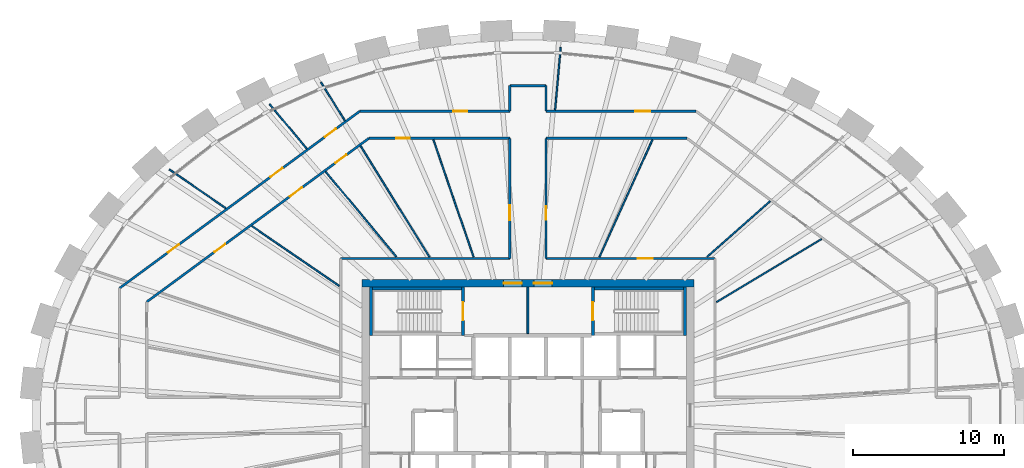
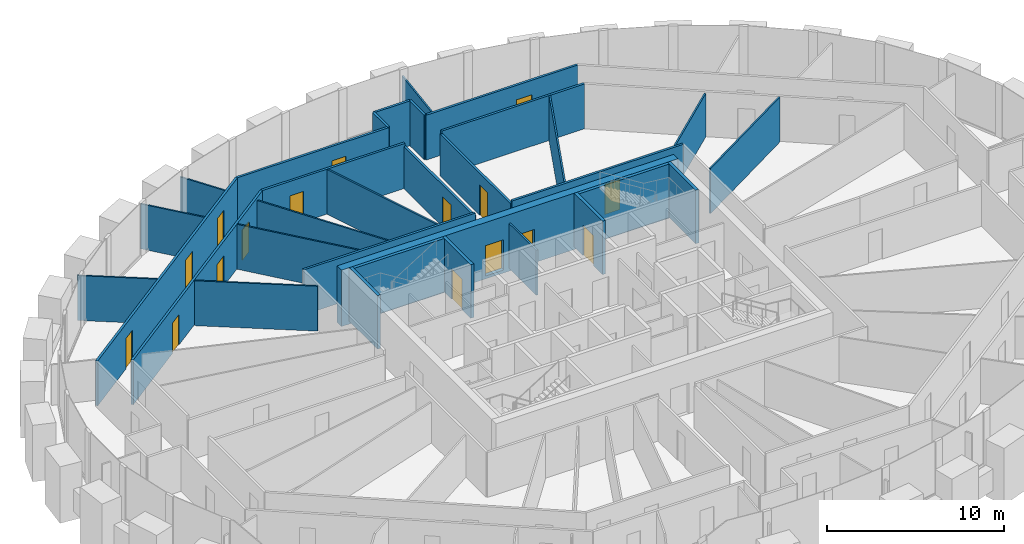
# One storey, part 10 of 12: 32 walls, 16 doors, 16 openings.
"""IFC4 building model written with IfcOpenShell, lengths in metres."""

from ifc_helpers import new_model, si_unit, direction, frame, frame_2d, origin, place, context, subcontext, project, spatial, rectangle, extrude, source, transform, mapped, material, layer, layer_set, type_object, element, fill, save


model = new_model("IFC4")

# Units and contexts
model_context = context("Model", 3, precision=1e-05, world=origin(), true_north=direction((0.0, 1.0)))
body_context = subcontext(model_context, "Body", "Model", "MODEL_VIEW")
ifc_project = project(units=[si_unit("LENGTHUNIT", "METRE"), si_unit("AREAUNIT", "SQUARE_METRE"), si_unit("VOLUMEUNIT", "CUBIC_METRE"), si_unit("PLANEANGLEUNIT", "RADIAN"), si_unit("MASSUNIT", "GRAM", prefix="KILO")], contexts=[model_context])

# Site, building, storey
site_placement = place(None, origin())
site = spatial("IfcSite", under=ifc_project, at=site_placement, CompositionType="ELEMENT")
building_placement = place(site_placement, origin())
building = spatial("IfcBuilding", under=site, at=building_placement, Name="Embergate Tower", CompositionType="ELEMENT")
storey_placement = place(building_placement, frame((0.0, 0.0, 265.60009765625)))
storey = spatial("IfcBuildingStorey", under=building, at=storey_placement, Name="L61", CompositionType="ELEMENT", Elevation=265.60009765625)

# Wall, openings, doors
ifc_material_1 = material(Name="Concrete C50", Category="concrete")
ifc_layer_1 = layer(ifc_material_1, 0.5)
ifc_layer_set_1 = layer_set([ifc_layer_1], Name="Concrete C50")
wall_type_1 = type_object("IfcWallType", Name="Core outer wall C50 500", PredefinedType="SHEAR", material=ifc_layer_set_1)
shared_shape_1 = source(origin(), body_context, "Body", "SweptSolid", [
    extrude(rectangle(XDim=22.0, YDim=0.5, at=frame_2d((11.0, 0.0))), origin(), (0.0, 0.0, 1.0), 3.900146484375),
])
wall_1_placement = place(storey_placement, frame((-11.0, 8.75, -0.2001953125), z_axis=(0.0, 0.0, 1.0), x_axis=(1.0, 0.0, 0.0)))
wall_1 = element("IfcWall", 1, at=wall_1_placement, inside=storey, type_object=wall_type_1, Name="CW-L61-N", PredefinedType="SHEAR", context=body_context, shape_type="MappedRepresentation", body=[
    mapped(shared_shape_1, transform((0.0, 0.0, 0.0))),
])
shared_shape_2 = source(origin(), body_context, "Body", "SweptSolid", [
    extrude(rectangle(XDim=1.199951171875, YDim=2.10009765625, at=frame_2d((0.60009765625, 1.050048828125))), frame((0.0, 0.260009765625, 0.0), z_axis=(0.0, -1.0, 0.0), x_axis=(1.0, 0.0, 0.0)), (0.0, 0.0, 1.0), 0.52001953125),
])
opening_1_placement = place(wall_1_placement, frame((9.39990234375, 0.0, 0.199951171875)))
opening_1 = element("IfcOpeningElement", 2, at=opening_1_placement, cuts=wall_1, Name="Opening IF-1", PredefinedType="OPENING", context=body_context, shape_type="MappedRepresentation", body=[
    mapped(shared_shape_2, transform((0.0, 0.0, 0.0))),
])
opening_2_placement = place(wall_1_placement, frame((11.39990234375, 0.0, 0.199951171875)))
opening_2 = element("IfcOpeningElement", 3, at=opening_2_placement, cuts=wall_1, Name="Opening IF-1", PredefinedType="OPENING", context=body_context, shape_type="MappedRepresentation", body=[
    mapped(shared_shape_2, transform((0.0, 0.0, 0.0))),
])
ifc_material_2 = material(Name="Escape fire door 1200")
door_type_1 = type_object("IfcDoorType", Name="Escape fire door 1200", OperationType="SINGLE_SWING_LEFT", PredefinedType="DOOR", material=ifc_material_2)
shared_shape_3 = source(origin(), body_context, "Body", "SweptSolid", [
    extrude(rectangle(XDim=1.199951171875, YDim=2.10009765625, at=frame_2d((0.60009765625, 1.050048828125))), frame((0.0, 0.02490234375, 0.0), z_axis=(0.0, -1.0, 0.0), x_axis=(1.0, 0.0, 0.0)), (0.0, 0.0, 1.0), 0.050048828125),
])
door_1_placement = place(opening_1_placement, origin())
door_1 = element("IfcDoor", 4, at=door_1_placement, inside=storey, type_object=door_type_1, Name="IF-1 door", OperationType="SINGLE_SWING_LEFT", OverallHeight=2.10009765625, OverallWidth=1.199951171875, PredefinedType="DOOR", context=body_context, shape_type="MappedRepresentation", body=[
    mapped(shared_shape_3, transform((0.0, 0.0, 0.0))),
])
fill(opening_1, door_1)
door_2_placement = place(opening_2_placement, origin())
door_2 = element("IfcDoor", 5, at=door_2_placement, inside=storey, type_object=door_type_1, Name="IF-1 door", OperationType="SINGLE_SWING_RIGHT", OverallHeight=2.10009765625, OverallWidth=1.199951171875, PredefinedType="DOOR", context=body_context, shape_type="MappedRepresentation", body=[
    mapped(shared_shape_3, transform((0.0, 0.0, 0.0))),
])
fill(opening_2, door_2)

# Wall, opening, door
ifc_layer_2 = layer(ifc_material_1, 0.199951171875)
ifc_layer_set_2 = layer_set([ifc_layer_2], Name="Concrete C50")
wall_type_2 = type_object("IfcWallType", Name="Stair enclosure wall reinforced concrete 250", PredefinedType="SHEAR", material=ifc_layer_set_2)
shared_shape_4 = source(origin(), body_context, "Body", "SweptSolid", [
    extrude(rectangle(XDim=3.199951171875, YDim=0.199951171875, at=frame_2d((1.60009765625, 0.0))), origin(), (0.0, 0.0, 1.0), 3.699951171875),
])
wall_2_placement = place(storey_placement, frame((-4.300048828125, 5.300048828125, 0.0), z_axis=(0.0, 0.0, 1.0), x_axis=(0.0, 1.0, 0.0)))
wall_2 = element("IfcWall", 6, at=wall_2_placement, inside=storey, type_object=wall_type_2, Name="SE-1 wall", PredefinedType="SHEAR", context=body_context, shape_type="MappedRepresentation", body=[
    mapped(shared_shape_4, transform((0.0, 0.0, 0.0))),
])
shared_shape_5 = source(origin(), body_context, "Body", "SweptSolid", [
    extrude(rectangle(XDim=1.199951171875, YDim=2.10009765625, at=frame_2d((0.60009765625, 1.050048828125))), frame((0.0, 0.10986328125, 0.0), z_axis=(0.0, -1.0, 0.0), x_axis=(1.0, 0.0, 0.0)), (0.0, 0.0, 1.0), 0.219970703125),
])
opening_3_placement = place(wall_2_placement, frame((1.0, 0.0, 0.0)))
opening_3 = element("IfcOpeningElement", 7, at=opening_3_placement, cuts=wall_2, Name="Opening IF-2", PredefinedType="OPENING", context=body_context, shape_type="MappedRepresentation", body=[
    mapped(shared_shape_5, transform((0.0, 0.0, 0.0))),
])
ifc_material_3 = material(Name="Stair enclosure door 1200")
door_type_2 = type_object("IfcDoorType", Name="Stair enclosure door 1200", OperationType="SINGLE_SWING_LEFT", PredefinedType="DOOR", material=ifc_material_3)
door_3_placement = place(opening_3_placement, origin())
door_3 = element("IfcDoor", 8, at=door_3_placement, inside=storey, type_object=door_type_2, Name="IF-2 door", OperationType="SINGLE_SWING_RIGHT", OverallHeight=2.10009765625, OverallWidth=1.199951171875, PredefinedType="DOOR", context=body_context, shape_type="MappedRepresentation", body=[
    mapped(shared_shape_3, transform((0.0, 0.0, 0.0))),
])
fill(opening_3, door_3)

wall_3_placement = place(storey_placement, frame((4.300048828125, 8.5, 0.0), z_axis=(0.0, 0.0, 1.0), x_axis=(0.0, -1.0, 0.0)))
wall_3 = element("IfcWall", 9, at=wall_3_placement, inside=storey, type_object=wall_type_2, Name="SE-1 wall", PredefinedType="SHEAR", context=body_context, shape_type="MappedRepresentation", body=[
    mapped(shared_shape_4, transform((0.0, 0.0, 0.0))),
])
opening_4_placement = place(wall_3_placement, frame((1.0, 0.0, 0.0)))
opening_4 = element("IfcOpeningElement", 10, at=opening_4_placement, cuts=wall_3, Name="Opening IF-2", PredefinedType="OPENING", context=body_context, shape_type="MappedRepresentation", body=[
    mapped(shared_shape_5, transform((0.0, 0.0, 0.0))),
])
door_4_placement = place(opening_4_placement, origin())
door_4 = element("IfcDoor", 11, at=door_4_placement, inside=storey, type_object=door_type_2, Name="IF-2 door", OperationType="SINGLE_SWING_LEFT", OverallHeight=2.10009765625, OverallWidth=1.199951171875, PredefinedType="DOOR", context=body_context, shape_type="MappedRepresentation", body=[
    mapped(shared_shape_3, transform((0.0, 0.0, 0.0))),
])
fill(opening_4, door_4)

# Wall
ifc_material_4 = material(Name="Corridor wall dry-lined 150")
ifc_layer_3 = layer(ifc_material_4, 0.14990234375)
ifc_layer_set_3 = layer_set([ifc_layer_3], Name="Corridor wall dry-lined 150")
wall_type_3 = type_object("IfcWallType", Name="Corridor wall dry-lined 150", PredefinedType="PARTITIONING", material=ifc_layer_set_3)
shared_shape_6 = source(origin(), body_context, "Body", "SweptSolid", [
    extrude(rectangle(XDim=2.39990234375, YDim=0.14990234375, at=frame_2d((1.199951171875, 0.0))), origin(), (0.0, 0.0, 1.0), 3.099853515625),
])
wall_4_placement = place(storey_placement, frame((-1.199951171875, 21.845947265625, 0.0), z_axis=(0.0, 0.0, 1.0), x_axis=(1.0, 0.0, 0.0)))
element("IfcWall", 12, at=wall_4_placement, inside=storey, type_object=wall_type_3, Name="IP-2 wall", PredefinedType="PARTITIONING", context=body_context, shape_type="MappedRepresentation", body=[
    mapped(shared_shape_6, transform((0.0, 0.0, 0.0))),
])

# Wall, opening, door
shared_shape_7 = source(origin(), body_context, "Body", "SweptSolid", [
    extrude(rectangle(XDim=11.199951171875, YDim=0.14990234375, at=frame_2d((5.60009765625, 0.0))), origin(), (0.0, 0.0, 1.0), 3.099853515625),
])
wall_5_placement = place(storey_placement, frame((1.199951171875, 10.39990234375, 0.0), z_axis=(0.0, 0.0, 1.0), x_axis=(1.0, 0.0, 0.0)))
wall_5 = element("IfcWall", 13, at=wall_5_placement, inside=storey, type_object=wall_type_3, Name="IP-2 wall", PredefinedType="PARTITIONING", context=body_context, shape_type="MappedRepresentation", body=[
    mapped(shared_shape_7, transform((0.0, 0.0, 0.0))),
])
shared_shape_8 = source(origin(), body_context, "Body", "SweptSolid", [
    extrude(rectangle(XDim=1.0, YDim=2.10009765625, at=frame_2d((0.5, 1.050048828125))), frame((0.0, 0.0849609375, 0.0), z_axis=(0.0, -1.0, 0.0), x_axis=(1.0, 0.0, 0.0)), (0.0, 0.0, 1.0), 0.169921875),
])
opening_5_placement = place(wall_5_placement, frame((6.089111328125, 0.0, 0.0)))
opening_5 = element("IfcOpeningElement", 14, at=opening_5_placement, cuts=wall_5, Name="Opening ID-2", PredefinedType="OPENING", context=body_context, shape_type="MappedRepresentation", body=[
    mapped(shared_shape_8, transform((0.0, 0.0, 0.0))),
])
ifc_material_5 = material(Name="Interior door 1000")
door_type_3 = type_object("IfcDoorType", Name="Interior door 1000", OperationType="SINGLE_SWING_LEFT", PredefinedType="DOOR", material=ifc_material_5)
shared_shape_9 = source(origin(), body_context, "Body", "SweptSolid", [
    extrude(rectangle(XDim=1.0, YDim=2.10009765625, at=frame_2d((0.5, 1.050048828125))), frame((0.0, 0.02490234375, 0.0), z_axis=(0.0, -1.0, 0.0), x_axis=(1.0, 0.0, 0.0)), (0.0, 0.0, 1.0), 0.050048828125),
])
door_5_placement = place(opening_5_placement, origin())
door_5 = element("IfcDoor", 15, at=door_5_placement, inside=storey, type_object=door_type_3, Name="ID-2 door", OperationType="SINGLE_SWING_RIGHT", OverallHeight=2.10009765625, OverallWidth=1.0, PredefinedType="DOOR", context=body_context, shape_type="MappedRepresentation", body=[
    mapped(shared_shape_9, transform((0.0, 0.0, 0.0))),
])
fill(opening_5, door_5)

# Walls
wall_6_placement = place(storey_placement, frame((-12.39990234375, 10.39990234375, 0.0), z_axis=(0.0, 0.0, 1.0), x_axis=(1.0, 0.0, 0.0)))
element("IfcWall", 16, at=wall_6_placement, inside=storey, type_object=wall_type_3, Name="IP-2 wall", PredefinedType="PARTITIONING", context=body_context, shape_type="MappedRepresentation", body=[
    mapped(shared_shape_7, transform((0.0, 0.0, 0.0))),
])
ifc_material_6 = material(Name="Core partition blockwork 120")
ifc_layer_4 = layer(ifc_material_6, 0.1201171875)
ifc_layer_set_4 = layer_set([ifc_layer_4], Name="Core partition blockwork 120")
wall_type_4 = type_object("IfcWallType", Name="Core partition blockwork 120", PredefinedType="PARTITIONING", material=ifc_layer_set_4)
shared_shape_10 = source(origin(), body_context, "Body", "SweptSolid", [
    extrude(rectangle(XDim=3.074951171875, YDim=0.1201171875, at=frame_2d((1.53759765625, 0.0))), origin(), (0.0, 0.0, 1.0), 3.099853515625),
])
wall_7_placement = place(storey_placement, frame((0.0, 5.425048828125, 0.0), z_axis=(0.0, 0.0, 1.0), x_axis=(0.0, 1.0, 0.0)))
element("IfcWall", 17, at=wall_7_placement, inside=storey, type_object=wall_type_4, Name="IP-3 wall", PredefinedType="PARTITIONING", context=body_context, shape_type="MappedRepresentation", body=[
    mapped(shared_shape_10, transform((0.0, 0.0, 0.0))),
])
shared_shape_11 = source(origin(), body_context, "Body", "SweptSolid", [
    extrude(rectangle(XDim=6.298095703125, YDim=0.199951171875, at=frame_2d((3.14892578125, 0.0))), origin(), (0.0, 0.0, 1.0), 3.699951171875),
])
for number, where, z_axis, x_axis, name in (
    (18, (-4.201904296875, 8.39990234375, 0.0), (0.0, 0.0, 1.0), (-1.0, 0.0, 0.0), "SE-1 wall"),
    (19, (10.5, 8.39990234375, 0.0), (0.0, 0.0, 1.0), (-1.0, 0.0, 0.0), "SE-1 wall"),
):
    element("IfcWall", number, at=place(storey_placement, frame(where, z_axis=z_axis, x_axis=x_axis)), inside=storey, type_object=wall_type_2, Name=name, PredefinedType="SHEAR", context=body_context, shape_type="MappedRepresentation", body=[
        mapped(shared_shape_11, transform((0.0, 0.0, 0.0))),
    ])
shared_shape_12 = source(origin(), body_context, "Body", "SweptSolid", [
    extrude(rectangle(XDim=3.197998046875, YDim=0.199951171875, at=frame_2d((1.59912109375, 0.0))), origin(), (0.0, 0.0, 1.0), 3.699951171875),
])
for number, where, z_axis, x_axis, name in (
    (20, (-10.39990234375, 8.5, 0.0), (0.0, 0.0, 1.0), (0.0, -1.0, 0.0), "SE-1 wall"),
    (21, (10.39990234375, 5.302001953125, 0.0), (0.0, 0.0, 1.0), (0.0, 1.0, 0.0), "SE-1 wall"),
):
    element("IfcWall", number, at=place(storey_placement, frame(where, z_axis=z_axis, x_axis=x_axis)), inside=storey, type_object=wall_type_2, Name=name, PredefinedType="SHEAR", context=body_context, shape_type="MappedRepresentation", body=[
        mapped(shared_shape_12, transform((0.0, 0.0, 0.0))),
    ])

# Wall, openings, doors
shared_shape_13 = source(origin(), body_context, "Body", "SweptSolid", [
    extrude(rectangle(XDim=19.77294921875, YDim=0.14990234375, at=frame_2d((9.886474609375, 0.0))), origin(), (0.0, 0.0, 1.0), 3.099853515625),
])
wall_8_placement = place(storey_placement, frame((-27.0458984375, 8.431884765625, 0.0), z_axis=(0.0, 0.0, 1.0), x_axis=(0.805138380898, 0.593086998344, 0.0)))
wall_8 = element("IfcWall", 22, at=wall_8_placement, inside=storey, type_object=wall_type_3, Name="IP-2 wall", PredefinedType="PARTITIONING", context=body_context, shape_type="MappedRepresentation", body=[
    mapped(shared_shape_13, transform((0.0, 0.0, 0.0))),
])
shared_shape_14 = source(origin(), body_context, "Body", "SweptSolid", [
    extrude(rectangle(XDim=0.89990234375, YDim=2.10009765625, at=frame_2d((0.449951171875, 1.050048828125))), frame((0.0, 0.0849609375, 0.0), z_axis=(0.0, -1.0, 0.0), x_axis=(1.0, 0.0, 0.0)), (0.0, 0.0, 1.0), 0.169921875),
])
opening_6_placement = place(wall_8_placement, frame((16.898193359375, 0.0, 0.0)))
opening_6 = element("IfcOpeningElement", 23, at=opening_6_placement, cuts=wall_8, Name="Opening IF-1c", PredefinedType="OPENING", context=body_context, shape_type="MappedRepresentation", body=[
    mapped(shared_shape_14, transform((0.0, 0.0, 0.0))),
])
opening_7_placement = place(wall_8_placement, frame((12.401611328125, 0.0, 0.0)))
opening_7 = element("IfcOpeningElement", 24, at=opening_7_placement, cuts=wall_8, Name="Opening ID-2", PredefinedType="OPENING", context=body_context, shape_type="MappedRepresentation", body=[
    mapped(shared_shape_8, transform((0.0, 0.0, 0.0))),
])
opening_8_placement = place(wall_8_placement, frame((3.98876953125, 0.0, 0.0)))
opening_8 = element("IfcOpeningElement", 25, at=opening_8_placement, cuts=wall_8, Name="Opening IF-1c", PredefinedType="OPENING", context=body_context, shape_type="MappedRepresentation", body=[
    mapped(shared_shape_14, transform((0.0, 0.0, 0.0))),
])
ifc_material_7 = material(Name="Escape fire door 900")
door_type_4 = type_object("IfcDoorType", Name="Escape fire door 900", OperationType="SINGLE_SWING_LEFT", PredefinedType="DOOR", material=ifc_material_7)
shared_shape_15 = source(origin(), body_context, "Body", "SweptSolid", [
    extrude(rectangle(XDim=0.89990234375, YDim=2.10009765625, at=frame_2d((0.449951171875, 1.050048828125))), frame((0.0, 0.02490234375, 0.0), z_axis=(0.0, -1.0, 0.0), x_axis=(1.0, 0.0, 0.0)), (0.0, 0.0, 1.0), 0.050048828125),
])
door_6_placement = place(opening_6_placement, origin())
door_6 = element("IfcDoor", 26, at=door_6_placement, inside=storey, type_object=door_type_4, Name="IF-1 door", OperationType="SINGLE_SWING_RIGHT", OverallHeight=2.10009765625, OverallWidth=0.89990234375, PredefinedType="DOOR", context=body_context, shape_type="MappedRepresentation", body=[
    mapped(shared_shape_15, transform((0.0, 0.0, 0.0))),
])
fill(opening_6, door_6)
door_7_placement = place(opening_8_placement, origin())
door_7 = element("IfcDoor", 27, at=door_7_placement, inside=storey, type_object=door_type_4, Name="IF-1 door", OperationType="SINGLE_SWING_LEFT", OverallHeight=2.10009765625, OverallWidth=0.89990234375, PredefinedType="DOOR", context=body_context, shape_type="MappedRepresentation", body=[
    mapped(shared_shape_15, transform((0.0, 0.0, 0.0))),
])
fill(opening_8, door_7)
door_8_placement = place(opening_7_placement, origin())
door_8 = element("IfcDoor", 28, at=door_8_placement, inside=storey, type_object=door_type_3, Name="ID-2 door", OperationType="SINGLE_SWING_LEFT", OverallHeight=2.10009765625, OverallWidth=1.0, PredefinedType="DOOR", context=body_context, shape_type="MappedRepresentation", body=[
    mapped(shared_shape_9, transform((0.0, 0.0, 0.0))),
])
fill(opening_7, door_8)

shared_shape_16 = source(origin(), body_context, "Body", "SweptSolid", [
    extrude(rectangle(XDim=18.27197265625, YDim=0.14990234375, at=frame_2d((9.135986328125, 0.0))), origin(), (0.0, 0.0, 1.0), 3.099853515625),
])
wall_9_placement = place(storey_placement, frame((-25.24609375, 7.52294921875, 0.0), z_axis=(0.0, 0.0, 1.0), x_axis=(0.805176050135, 0.593035857507, 0.0)))
wall_9 = element("IfcWall", 29, at=wall_9_placement, inside=storey, type_object=wall_type_3, Name="IP-2 wall", PredefinedType="PARTITIONING", context=body_context, shape_type="MappedRepresentation", body=[
    mapped(shared_shape_16, transform((0.0, 0.0, 0.0))),
])
opening_9_placement = place(wall_9_placement, frame((15.531982421875, 0.0, 0.0)))
opening_9 = element("IfcOpeningElement", 30, at=opening_9_placement, cuts=wall_9, Name="Opening IF-1c", PredefinedType="OPENING", context=body_context, shape_type="MappedRepresentation", body=[
    mapped(shared_shape_14, transform((0.0, 0.0, 0.0))),
])
opening_10_placement = place(wall_9_placement, frame((11.779296875, 0.0, 0.0)))
opening_10 = element("IfcOpeningElement", 31, at=opening_10_placement, cuts=wall_9, Name="Opening ID-2", PredefinedType="OPENING", context=body_context, shape_type="MappedRepresentation", body=[
    mapped(shared_shape_8, transform((0.0, 0.0, 0.0))),
])
opening_11_placement = place(wall_9_placement, frame((5.5576171875, 0.0, 0.0)))
opening_11 = element("IfcOpeningElement", 32, at=opening_11_placement, cuts=wall_9, Name="Opening IF-1c", PredefinedType="OPENING", context=body_context, shape_type="MappedRepresentation", body=[
    mapped(shared_shape_14, transform((0.0, 0.0, 0.0))),
])
door_9_placement = place(opening_9_placement, origin())
door_9 = element("IfcDoor", 33, at=door_9_placement, inside=storey, type_object=door_type_4, Name="IF-1 door", OperationType="SINGLE_SWING_RIGHT", OverallHeight=2.10009765625, OverallWidth=0.89990234375, PredefinedType="DOOR", context=body_context, shape_type="MappedRepresentation", body=[
    mapped(shared_shape_15, transform((0.0, 0.0, 0.0))),
])
fill(opening_9, door_9)
door_10_placement = place(opening_11_placement, origin())
door_10 = element("IfcDoor", 34, at=door_10_placement, inside=storey, type_object=door_type_4, Name="IF-1 door", OperationType="SINGLE_SWING_RIGHT", OverallHeight=2.10009765625, OverallWidth=0.89990234375, PredefinedType="DOOR", context=body_context, shape_type="MappedRepresentation", body=[
    mapped(shared_shape_15, transform((0.0, 0.0, 0.0))),
])
fill(opening_11, door_10)
door_11_placement = place(opening_10_placement, origin())
door_11 = element("IfcDoor", 35, at=door_11_placement, inside=storey, type_object=door_type_3, Name="ID-2 door", OperationType="SINGLE_SWING_RIGHT", OverallHeight=2.10009765625, OverallWidth=1.0, PredefinedType="DOOR", context=body_context, shape_type="MappedRepresentation", body=[
    mapped(shared_shape_9, transform((0.0, 0.0, 0.0))),
])
fill(opening_10, door_11)

# Wall, opening, door
shared_shape_17 = source(origin(), body_context, "Body", "SweptSolid", [
    extrude(rectangle(XDim=9.926025390625, YDim=0.14990234375, at=frame_2d((4.962890625, 0.0))), origin(), (0.0, 0.0, 1.0), 3.099853515625),
])
wall_10_placement = place(storey_placement, frame((1.199951171875, 20.158935546875, 0.0), z_axis=(0.0, 0.0, 1.0), x_axis=(1.0, 0.0, 0.0)))
wall_10 = element("IfcWall", 36, at=wall_10_placement, inside=storey, type_object=wall_type_3, Name="IP-2 wall", PredefinedType="PARTITIONING", context=body_context, shape_type="MappedRepresentation", body=[
    mapped(shared_shape_17, transform((0.0, 0.0, 0.0))),
])
opening_12_placement = place(wall_10_placement, frame((5.9208984375, 0.0, 0.0)))
opening_12 = element("IfcOpeningElement", 37, at=opening_12_placement, cuts=wall_10, Name="Opening ID-2", PredefinedType="OPENING", context=body_context, shape_type="MappedRepresentation", body=[
    mapped(shared_shape_8, transform((0.0, 0.0, 0.0))),
])
door_12_placement = place(opening_12_placement, origin())
door_12 = element("IfcDoor", 38, at=door_12_placement, inside=storey, type_object=door_type_3, Name="ID-2 door", OperationType="SINGLE_SWING_LEFT", OverallHeight=2.10009765625, OverallWidth=1.0, PredefinedType="DOOR", context=body_context, shape_type="MappedRepresentation", body=[
    mapped(shared_shape_9, transform((0.0, 0.0, 0.0))),
])
fill(opening_12, door_12)

wall_11_placement = place(storey_placement, frame((-11.1259765625, 20.158935546875, 0.0), z_axis=(0.0, 0.0, 1.0), x_axis=(1.0, 0.0, 0.0)))
wall_11 = element("IfcWall", 39, at=wall_11_placement, inside=storey, type_object=wall_type_3, Name="IP-2 wall", PredefinedType="PARTITIONING", context=body_context, shape_type="MappedRepresentation", body=[
    mapped(shared_shape_17, transform((0.0, 0.0, 0.0))),
])
opening_13_placement = place(wall_11_placement, frame((6.197509765625, 0.0, 0.0)))
opening_13 = element("IfcOpeningElement", 40, at=opening_13_placement, cuts=wall_11, Name="Opening IF-1c", PredefinedType="OPENING", context=body_context, shape_type="MappedRepresentation", body=[
    mapped(shared_shape_14, transform((0.0, 0.0, 0.0))),
])
door_13_placement = place(opening_13_placement, origin())
door_13 = element("IfcDoor", 41, at=door_13_placement, inside=storey, type_object=door_type_4, Name="IF-1 door", OperationType="SINGLE_SWING_LEFT", OverallHeight=2.10009765625, OverallWidth=0.89990234375, PredefinedType="DOOR", context=body_context, shape_type="MappedRepresentation", body=[
    mapped(shared_shape_15, transform((0.0, 0.0, 0.0))),
])
fill(opening_13, door_13)

# Walls
shared_shape_18 = source(origin(), body_context, "Body", "SweptSolid", [
    extrude(rectangle(XDim=1.68701171875, YDim=0.14990234375, at=frame_2d((0.843505859375, 0.0))), origin(), (0.0, 0.0, 1.0), 3.099853515625),
])
for number, where, z_axis, x_axis, name in (
    (42, (-1.199951171875, 20.158935546875, 0.0), (0.0, 0.0, 1.0), (0.0, 1.0, 0.0), "IP-2 wall"),
    (43, (1.199951171875, 21.845947265625, 0.0), (0.0, 0.0, 1.0), (0.0, -1.0, 0.0), "IP-2 wall"),
):
    element("IfcWall", number, at=place(storey_placement, frame(where, z_axis=z_axis, x_axis=x_axis)), inside=storey, type_object=wall_type_3, Name=name, PredefinedType="PARTITIONING", context=body_context, shape_type="MappedRepresentation", body=[
        mapped(shared_shape_18, transform((0.0, 0.0, 0.0))),
    ])

# Wall, opening, door
shared_shape_19 = source(origin(), body_context, "Body", "SweptSolid", [
    extrude(rectangle(XDim=9.333984375, YDim=0.14990234375, at=frame_2d((4.6669921875, 0.0))), origin(), (0.0, 0.0, 1.0), 3.099853515625),
])
wall_12_placement = place(storey_placement, frame((-1.199951171875, 18.35888671875, 0.0), z_axis=(0.0, 0.0, 1.0), x_axis=(-1.0, 0.0, 0.0)))
wall_12 = element("IfcWall", 44, at=wall_12_placement, inside=storey, type_object=wall_type_3, Name="IP-2 wall", PredefinedType="PARTITIONING", context=body_context, shape_type="MappedRepresentation", body=[
    mapped(shared_shape_19, transform((0.0, 0.0, 0.0))),
])
opening_14_placement = place(wall_12_placement, frame((6.6240234375, 0.0, 0.0)))
opening_14 = element("IfcOpeningElement", 45, at=opening_14_placement, cuts=wall_12, Name="Opening IF-1c", PredefinedType="OPENING", context=body_context, shape_type="MappedRepresentation", body=[
    mapped(shared_shape_14, transform((0.0, 0.0, 0.0))),
])
door_14_placement = place(opening_14_placement, origin())
door_14 = element("IfcDoor", 46, at=door_14_placement, inside=storey, type_object=door_type_4, Name="IF-1 door", OperationType="SINGLE_SWING_RIGHT", OverallHeight=2.10009765625, OverallWidth=0.89990234375, PredefinedType="DOOR", context=body_context, shape_type="MappedRepresentation", body=[
    mapped(shared_shape_15, transform((0.0, 0.0, 0.0))),
])
fill(opening_14, door_14)

# Wall
wall_13_placement = place(storey_placement, frame((10.533935546875, 18.35888671875, 0.0), z_axis=(0.0, 0.0, 1.0), x_axis=(-1.0, 0.0, 0.0)))
element("IfcWall", 47, at=wall_13_placement, inside=storey, type_object=wall_type_3, Name="IP-2 wall", PredefinedType="PARTITIONING", context=body_context, shape_type="MappedRepresentation", body=[
    mapped(shared_shape_19, transform((0.0, 0.0, 0.0))),
])

# Wall, opening, door
shared_shape_20 = source(origin(), body_context, "Body", "SweptSolid", [
    extrude(rectangle(XDim=7.958984375, YDim=0.14990234375, at=frame_2d((3.9794921875, 0.0))), origin(), (0.0, 0.0, 1.0), 2.89990234375),
])
wall_14_placement = place(storey_placement, frame((-1.199951171875, 10.39990234375, 0.0), z_axis=(0.0, 0.0, 1.0), x_axis=(0.0, 1.0, 0.0)))
wall_14 = element("IfcWall", 48, at=wall_14_placement, inside=storey, type_object=wall_type_3, Name="IP-2 wall", PredefinedType="PARTITIONING", context=body_context, shape_type="MappedRepresentation", body=[
    mapped(shared_shape_20, transform((0.0, 0.0, 0.0))),
])
opening_15_placement = place(wall_14_placement, frame((2.52587890625, 0.0, 0.0)))
opening_15 = element("IfcOpeningElement", 49, at=opening_15_placement, cuts=wall_14, Name="Opening ID-2", PredefinedType="OPENING", context=body_context, shape_type="MappedRepresentation", body=[
    mapped(shared_shape_8, transform((0.0, 0.0, 0.0))),
])
door_15_placement = place(opening_15_placement, origin())
door_15 = element("IfcDoor", 50, at=door_15_placement, inside=storey, type_object=door_type_3, Name="ID-2 door", OperationType="SINGLE_SWING_LEFT", OverallHeight=2.10009765625, OverallWidth=1.0, PredefinedType="DOOR", context=body_context, shape_type="MappedRepresentation", body=[
    mapped(shared_shape_9, transform((0.0, 0.0, 0.0))),
])
fill(opening_15, door_15)

wall_15_placement = place(storey_placement, frame((1.199951171875, 18.35888671875, 0.0), z_axis=(0.0, 0.0, 1.0), x_axis=(0.0, -1.0, 0.0)))
wall_15 = element("IfcWall", 51, at=wall_15_placement, inside=storey, type_object=wall_type_3, Name="IP-2 wall", PredefinedType="PARTITIONING", context=body_context, shape_type="MappedRepresentation", body=[
    mapped(shared_shape_20, transform((0.0, 0.0, 0.0))),
])
opening_16_placement = place(wall_15_placement, frame((4.498291015625, 0.0, 0.0)))
opening_16 = element("IfcOpeningElement", 52, at=opening_16_placement, cuts=wall_15, Name="Opening IF-1c", PredefinedType="OPENING", context=body_context, shape_type="MappedRepresentation", body=[
    mapped(shared_shape_14, transform((0.0, 0.0, 0.0))),
])
door_16_placement = place(opening_16_placement, origin())
door_16 = element("IfcDoor", 53, at=door_16_placement, inside=storey, type_object=door_type_4, Name="IF-1 door", OperationType="SINGLE_SWING_RIGHT", OverallHeight=2.10009765625, OverallWidth=0.89990234375, PredefinedType="DOOR", context=body_context, shape_type="MappedRepresentation", body=[
    mapped(shared_shape_15, transform((0.0, 0.0, 0.0))),
])
fill(opening_16, door_16)

# Walls
ifc_material_8 = material(Name="Partition dry-lined 100")
ifc_layer_5 = layer(ifc_material_8, 0.10009765625)
ifc_layer_set_5 = layer_set([ifc_layer_5], Name="Partition dry-lined 100")
wall_type_5 = type_object("IfcWallType", Name="Partition dry-lined 100", PredefinedType="PARTITIONING", material=ifc_layer_set_5)
shared_shape_21 = source(origin(), body_context, "Body", "SweptSolid", [
    extrude(rectangle(XDim=3.001953125, YDim=0.10009765625, at=frame_2d((1.5009765625, 0.0))), origin(), (0.0, 0.0, 1.0), 2.89990234375),
])
wall_16_placement = place(storey_placement, frame((-12.12109375, 19.51904296875, 0.0), z_axis=(0.0, 0.0, 1.0), x_axis=(-0.527650303737, 0.84946168658, 0.0)))
element("IfcWall", 54, at=wall_16_placement, inside=storey, type_object=wall_type_5, Name="IP-1 wall", PredefinedType="PARTITIONING", context=body_context, shape_type="MappedRepresentation", body=[
    mapped(shared_shape_21, transform((0.0, 0.0, 0.0))),
])
shared_shape_22 = source(origin(), body_context, "Body", "SweptSolid", [
    extrude(rectangle(XDim=8.658935546875, YDim=0.10009765625, at=frame_2d((4.32958984375, 0.0))), origin(), (0.0, 0.0, 1.0), 2.89990234375),
])
wall_17_placement = place(storey_placement, frame((-6.52099609375, 10.5009765625, 0.0), z_axis=(0.0, 0.0, 1.0), x_axis=(-0.527558664612, 0.849518602146, 0.0)))
element("IfcWall", 55, at=wall_17_placement, inside=storey, type_object=wall_type_5, Name="IP-1 wall", PredefinedType="PARTITIONING", context=body_context, shape_type="MappedRepresentation", body=[
    mapped(shared_shape_22, transform((0.0, 0.0, 0.0))),
])
shared_shape_23 = source(origin(), body_context, "Body", "SweptSolid", [
    extrude(rectangle(XDim=8.101318359375, YDim=0.10009765625, at=frame_2d((4.05078125, 0.0))), origin(), (0.0, 0.0, 1.0), 3.099853515625),
])
wall_18_placement = place(storey_placement, frame((12.5009765625, 7.507080078125, 0.0), z_axis=(0.0, 0.0, 1.0), x_axis=(0.857282787612, 0.514845823586, 0.0)))
element("IfcWall", 56, at=wall_18_placement, inside=storey, type_object=wall_type_5, Name="IP-1 wall", PredefinedType="PARTITIONING", context=body_context, shape_type="MappedRepresentation", body=[
    mapped(shared_shape_23, transform((0.0, 0.0, 0.0))),
])
shared_shape_24 = source(origin(), body_context, "Body", "SweptSolid", [
    extrude(rectangle(XDim=5.559814453125, YDim=0.10009765625, at=frame_2d((2.77978515625, 0.0))), origin(), (0.0, 0.0, 1.0), 3.0),
])
wall_19_placement = place(storey_placement, frame((11.8779296875, 10.511962890625, 0.0), z_axis=(0.0, 0.0, 1.0), x_axis=(0.748788663008, 0.662808824738, 0.0)))
element("IfcWall", 57, at=wall_19_placement, inside=storey, type_object=wall_type_5, Name="IP-1 wall", PredefinedType="PARTITIONING", context=body_context, shape_type="MappedRepresentation", body=[
    mapped(shared_shape_24, transform((0.0, 0.0, 0.0))),
])
shared_shape_25 = source(origin(), body_context, "Body", "SweptSolid", [
    extrude(rectangle(XDim=4.169677734375, YDim=0.10009765625, at=frame_2d((2.0849609375, 0.0))), origin(), (0.0, 0.0, 1.0), 2.89990234375),
])
wall_20_placement = place(storey_placement, frame((1.802978515625, 20.23388671875, 0.0), z_axis=(0.0, 0.0, 1.0), x_axis=(0.088999362653, 0.996031682954, 0.0)))
element("IfcWall", 58, at=wall_20_placement, inside=storey, type_object=wall_type_5, Name="IP-1 wall", PredefinedType="PARTITIONING", context=body_context, shape_type="MappedRepresentation", body=[
    mapped(shared_shape_25, transform((0.0, 0.0, 0.0))),
])
shared_shape_26 = source(origin(), body_context, "Body", "SweptSolid", [
    extrude(rectangle(XDim=8.221435546875, YDim=0.10009765625, at=frame_2d((4.11083984375, 0.0))), origin(), (0.0, 0.0, 1.0), 3.099853515625),
])
wall_21_placement = place(storey_placement, frame((-3.595947265625, 10.490966796875, 0.0), z_axis=(0.0, 0.0, 1.0), x_axis=(-0.3242787715, 0.945961562832, 0.0)))
element("IfcWall", 59, at=wall_21_placement, inside=storey, type_object=wall_type_5, Name="IP-1 wall", PredefinedType="PARTITIONING", context=body_context, shape_type="MappedRepresentation", body=[
    mapped(shared_shape_26, transform((0.0, 0.0, 0.0))),
])
shared_shape_27 = source(origin(), body_context, "Body", "SweptSolid", [
    extrude(rectangle(XDim=8.52392578125, YDim=0.10009765625, at=frame_2d((4.261962890625, 0.0))), origin(), (0.0, 0.0, 1.0), 3.099853515625),
])
wall_22_placement = place(storey_placement, frame((4.741943359375, 10.49609375, 0.0), z_axis=(0.0, 0.0, 1.0), x_axis=(0.411777796505, 0.911284284022, 0.0)))
element("IfcWall", 60, at=wall_22_placement, inside=storey, type_object=wall_type_5, Name="IP-1 wall", PredefinedType="PARTITIONING", context=body_context, shape_type="MappedRepresentation", body=[
    mapped(shared_shape_27, transform((0.0, 0.0, 0.0))),
])
shared_shape_28 = source(origin(), body_context, "Body", "SweptSolid", [
    extrude(rectangle(XDim=3.853515625, YDim=0.10009765625, at=frame_2d((1.9267578125, 0.0))), origin(), (0.0, 0.0, 1.0), 3.099853515625),
])
wall_23_placement = place(storey_placement, frame((-14.64697265625, 17.657958984375, 0.0), z_axis=(0.0, 0.0, 1.0), x_axis=(-0.638381649622, 0.76971999417, 0.0)))
element("IfcWall", 61, at=wall_23_placement, inside=storey, type_object=wall_type_5, Name="IP-1 wall", PredefinedType="PARTITIONING", context=body_context, shape_type="MappedRepresentation", body=[
    mapped(shared_shape_28, transform((0.0, 0.0, 0.0))),
])
shared_shape_29 = source(origin(), body_context, "Body", "SweptSolid", [
    extrude(rectangle(XDim=4.545166015625, YDim=0.10009765625, at=frame_2d((2.2724609375, 0.0))), origin(), (0.0, 0.0, 1.0), 3.099853515625),
])
wall_24_placement = place(storey_placement, frame((-20.010009765625, 13.72802734375, 0.0), z_axis=(0.0, 0.0, 1.0), x_axis=(-0.824630774754, 0.56567135806, 0.0)))
element("IfcWall", 62, at=wall_24_placement, inside=storey, type_object=wall_type_5, Name="IP-1 wall", PredefinedType="PARTITIONING", context=body_context, shape_type="MappedRepresentation", body=[
    mapped(shared_shape_29, transform((0.0, 0.0, 0.0))),
])
shared_shape_30 = source(origin(), body_context, "Body", "SweptSolid", [
    extrude(rectangle(XDim=7.338134765625, YDim=0.10009765625, at=frame_2d((3.6689453125, 0.0))), origin(), (0.0, 0.0, 1.0), 3.099853515625),
])
wall_25_placement = place(storey_placement, frame((-8.715087890625, 10.507080078125, 0.0), z_axis=(0.0, 0.0, 1.0), x_axis=(-0.63842866365, 0.769680999785, 0.0)))
element("IfcWall", 63, at=wall_25_placement, inside=storey, type_object=wall_type_5, Name="IP-1 wall", PredefinedType="PARTITIONING", context=body_context, shape_type="MappedRepresentation", body=[
    mapped(shared_shape_30, transform((0.0, 0.0, 0.0))),
])
shared_shape_31 = source(origin(), body_context, "Body", "SweptSolid", [
    extrude(rectangle(XDim=7.0048828125, YDim=0.10009765625, at=frame_2d((3.50244140625, 0.0))), origin(), (0.0, 0.0, 1.0), 3.099853515625),
])
wall_26_placement = place(storey_placement, frame((-12.5029296875, 8.577880859375, 0.0), z_axis=(0.0, 0.0, 1.0), x_axis=(-0.824571374803, 0.565757941045, 0.0)))
element("IfcWall", 64, at=wall_26_placement, inside=storey, type_object=wall_type_5, Name="IP-1 wall", PredefinedType="PARTITIONING", context=body_context, shape_type="MappedRepresentation", body=[
    mapped(shared_shape_31, transform((0.0, 0.0, 0.0))),
])

save(model, "model.ifc")
